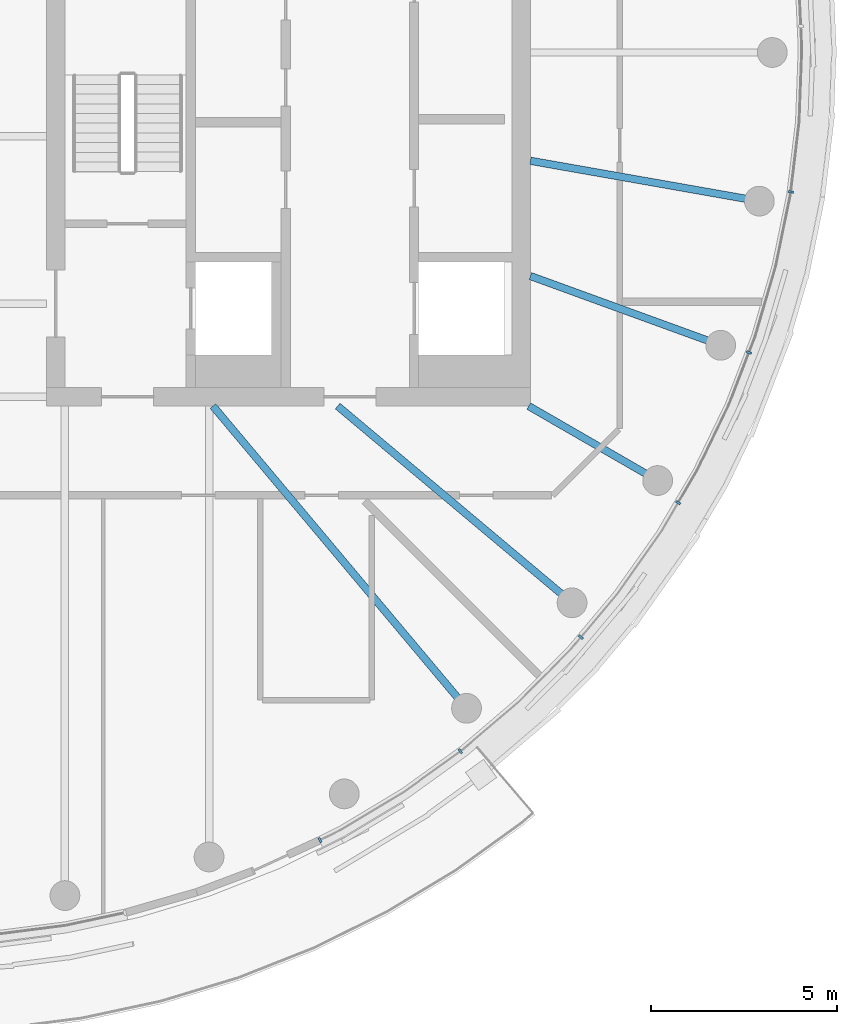
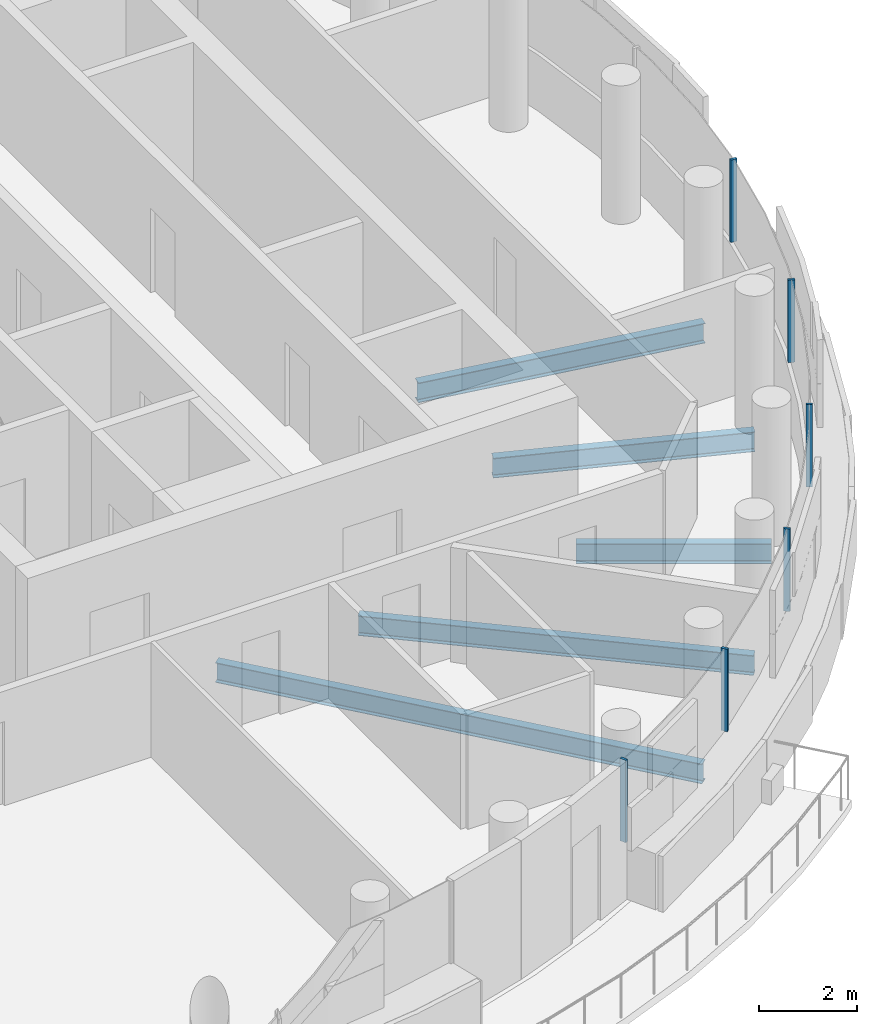
# One storey, part 6 of 21: 6 members, 5 beams, 1 element without a shape of its own.
"""IFC4 building model written with IfcOpenShell, lengths in metres."""

import ifcopenshell
import ifcopenshell.guid

model = None  # the IFC model being written
_history = None  # IfcOwnerHistory: only IFC2X3 demands one
_inside = {}  # id of a spatial element -> (the spatial element, [elements in it])
_under = {}  # id of a project, library or spatial element -> (it, [spatial elements below it])
_declared = {}  # id of a project -> (the project, [libraries it declares])
_typed = {}  # id of a type object -> (the type object, [elements of that type])
_made_of = {}  # id of a material, layer set ... -> (it, [elements and type objects made of it])


def new_model(schema):
    """Start an empty IFC model of exactly this schema.

    Asked for "IFC4X3", IfcOpenShell would pick the latest addendum, in which some entities
    have other attributes; the version numbers below select the first issue.
    IFC2X3 requires an IfcOwnerHistory on every rooted entity: one is made here for all.
    """
    global model, _history
    if schema == "IFC4X3":
        model = ifcopenshell.file(schema_version=(4, 3, 0, 0))
    else:
        model = ifcopenshell.file(schema=schema)
    _inside.clear()
    _under.clear()
    _declared.clear()
    _typed.clear()
    _made_of.clear()
    _history = None
    if model.schema == "IFC2X3":
        org = make("IfcOrganization", Name="unknown")
        user = make(
            "IfcPersonAndOrganization",
            ThePerson=make("IfcPerson", FamilyName="unknown"),
            TheOrganization=org,
        )
        app = make(
            "IfcApplication",
            ApplicationDeveloper=org,
            Version="unknown",
            ApplicationFullName="unknown",
            ApplicationIdentifier="unknown",
        )
        _history = make(
            "IfcOwnerHistory",
            OwningUser=user,
            OwningApplication=app,
            ChangeAction="ADDED",
            CreationDate=0,
        )
    return model


def make(cls, **values):
    """One entity of the class cls with the attributes given. An attribute that is None is left unset."""
    return model.create_entity(
        cls, **{name: value for name, value in values.items() if value is not None}
    )


def rooted(cls, **values):
    """An entity with a GlobalId (a new one), such as an element, a storey or a relation."""
    return make(cls, GlobalId=ifcopenshell.guid.new(), OwnerHistory=_history, **values)


def si_unit(unit_type, name, prefix=None):
    """IfcSIUnit, for example si_unit("LENGTHUNIT", "METRE", prefix="MILLI")."""
    return make("IfcSIUnit", UnitType=unit_type, Prefix=prefix, Name=name)


def assignment(units):
    """IfcUnitAssignment: the units of a project."""
    return None if units is None else make("IfcUnitAssignment", Units=units)


def point(xyz):
    """IfcCartesianPoint."""
    return None if xyz is None else make("IfcCartesianPoint", Coordinates=xyz)


def direction(xyz):
    """IfcDirection."""
    return None if xyz is None else make("IfcDirection", DirectionRatios=xyz)


def frame(location, z_axis=None, x_axis=None):
    """IfcAxis2Placement3D, a coordinate frame: its origin and axes. An axis left out is left unset."""
    return make(
        "IfcAxis2Placement3D",
        Location=point(location),
        Axis=direction(z_axis),
        RefDirection=direction(x_axis),
    )


def frame_2d(location, x_axis=None):
    """IfcAxis2Placement2D, a coordinate frame in the plane: its origin and x axis."""
    return make(
        "IfcAxis2Placement2D", Location=point(location), RefDirection=direction(x_axis)
    )


def origin():
    """The frame at (0, 0, 0) with its axes left unset."""
    return frame((0.0, 0.0, 0.0))


def origin_2d():
    """The frame at (0, 0) in the plane with its x axis left unset."""
    return frame_2d((0.0, 0.0))


def place(relative_to, where):
    """IfcLocalPlacement: puts the frame where relative to a parent placement (None: the world)."""
    return make(
        "IfcLocalPlacement", PlacementRelTo=relative_to, RelativePlacement=where
    )


def context(
    kind, dimensions, precision=None, world=None, true_north=None, identifier=None
):
    """IfcGeometricRepresentationContext, for example the 3D "Model" context."""
    return make(
        "IfcGeometricRepresentationContext",
        ContextIdentifier=identifier,
        ContextType=kind,
        CoordinateSpaceDimension=dimensions,
        Precision=precision,
        WorldCoordinateSystem=world,
        TrueNorth=true_north,
    )


def subcontext(parent, identifier, kind, view, scale=None):
    """IfcGeometricRepresentationSubContext, for example "Body" below "Model"."""
    return make(
        "IfcGeometricRepresentationSubContext",
        ContextIdentifier=identifier,
        ContextType=kind,
        ParentContext=parent,
        TargetScale=scale,
        TargetView=view,
    )


def project(units=None, contexts=None):
    """IfcProject with its units and contexts."""
    return rooted(
        "IfcProject",
        Name="project",
        RepresentationContexts=contexts,
        UnitsInContext=assignment(units),
    )


def spatial(cls, under=None, at=None, **own):
    """A site, building, storey or space (cls), placed at a placement, below another one or the project."""
    s = rooted(cls, ObjectPlacement=at, **own)
    if under is not None:
        _under.setdefault(under.id(), (under, []))[1].append(s)
    return s


def profile(cls, at=None, kind="AREA", **sizes):
    """A parametric profile (cls). Its sizes go by their IFC names, for example OverallWidth=200.0."""
    return make(cls, ProfileType=kind, Position=at, **sizes)


def rectangle(**sizes):
    """IfcRectangleProfileDef."""
    return profile("IfcRectangleProfileDef", **sizes)


def i_section(**sizes):
    """IfcIShapeProfileDef."""
    return profile("IfcIShapeProfileDef", **sizes)


def extrude(swept, where, along, depth):
    """IfcExtrudedAreaSolid: the profile swept, set in the frame where, extruded along a direction by depth."""
    return make(
        "IfcExtrudedAreaSolid",
        SweptArea=swept,
        Position=where,
        ExtrudedDirection=direction(along),
        Depth=depth,
    )


def shape(context_of_items, identifier, shape_type, items):
    """IfcShapeRepresentation: the items that make up one representation, for example the "Body"."""
    return make(
        "IfcShapeRepresentation",
        ContextOfItems=context_of_items,
        RepresentationIdentifier=identifier,
        RepresentationType=shape_type,
        Items=items,
    )


def material(Name=None, Category=None):
    """IfcMaterial."""
    return make("IfcMaterial", Name=Name, Category=Category)


def layer(
    of_material, thickness, ventilated=None, Name=None, Category=None, Priority=None
):
    """IfcMaterialLayer: one layer of a wall or slab, of a material (None: an air gap)."""
    return make(
        "IfcMaterialLayer",
        Material=of_material,
        LayerThickness=thickness,
        IsVentilated=ventilated,
        Name=Name,
        Category=Category,
        Priority=Priority,
    )


def layer_set(layers, Name=None):
    """IfcMaterialLayerSet."""
    return make("IfcMaterialLayerSet", MaterialLayers=layers, LayerSetName=Name)


def material_profile(
    of_material, cross_section, Name=None, Category=None, Priority=None
):
    """IfcMaterialProfile: a cross section and its material."""
    return make(
        "IfcMaterialProfile",
        Name=Name,
        Material=of_material,
        Profile=cross_section,
        Priority=Priority,
        Category=Category,
    )


def profile_set(profiles, Name=None, composite=None):
    """IfcMaterialProfileSet."""
    return make(
        "IfcMaterialProfileSet",
        Name=Name,
        MaterialProfiles=profiles,
        CompositeProfile=composite,
    )


def made_of(thing, what):
    """Note that an element or type object is made of a material, layer set ...; save() writes the relation."""
    if what is not None:
        _made_of.setdefault(what.id(), (what, []))[1].append(thing)
    return thing


def type_object(cls, material=None, **own):
    """A type object (cls), such as IfcWallType, which elements share."""
    return made_of(rooted(cls, **own), material)


def element(
    cls,
    number,
    at=None,
    inside=None,
    cuts=None,
    type_object=None,
    material=None,
    context=None,
    identifier="Body",
    shape_type=None,
    held_by="IfcProductDefinitionShape",
    body=None,
    shapes=None,
    **own,
):
    """One element of the class cls, such as IfcWall. Its Tag is "e" and its number.

    at: its placement. inside: the storey or other place that contains it. cuts: it is an
    opening in that element (IfcRelVoidsElement). A single representation is given by context,
    identifier, shape_type and body (its items); several are given by shapes. held_by: the class
    of the entity that holds the representations. save() writes the other relations.
    """
    e = rooted(cls, Tag="e%d" % number, ObjectPlacement=at, **own)
    if body is not None:
        shapes = [shape(context, identifier, shape_type, body)]
    if shapes is not None:
        e.Representation = make(held_by, Representations=shapes)
    if inside is not None:
        _inside.setdefault(inside.id(), (inside, []))[1].append(e)
    if cuts is not None:
        rooted(
            "IfcRelVoidsElement", RelatingBuildingElement=cuts, RelatedOpeningElement=e
        )
    if type_object is not None:
        _typed.setdefault(type_object.id(), (type_object, []))[1].append(e)
    return made_of(e, material)


def aggregate(whole, parts):
    """IfcRelAggregates: a whole, such as a stair, and the parts it consists of."""
    return rooted("IfcRelAggregates", RelatingObject=whole, RelatedObjects=parts)


def save(model, path):
    """Write the relations noted so far, then the file.

    IfcRelAggregates (storeys below a building ...), IfcRelContainedInSpatialStructure (elements
    in a storey), IfcRelDefinesByType, IfcRelAssociatesMaterial and IfcRelDeclares: one each for
    every whole, place, type object, material and project.
    """
    for whole, parts in _under.values():
        aggregate(whole, parts)
    for where, things in _inside.values():
        rooted(
            "IfcRelContainedInSpatialStructure",
            RelatedElements=things,
            RelatingStructure=where,
        )
    for kind, things in _typed.values():
        rooted("IfcRelDefinesByType", RelatedObjects=things, RelatingType=kind)
    for what, things in _made_of.values():
        rooted("IfcRelAssociatesMaterial", RelatedObjects=things, RelatingMaterial=what)
    for by, libraries in _declared.values():
        rooted("IfcRelDeclares", RelatingContext=by, RelatedDefinitions=libraries)
    model.write(path)


model = new_model("IFC4")

# Units and contexts
model_context = context("Model", 3, precision=1e-05, world=origin(), true_north=direction((0.0, 1.0)))
body_context = subcontext(model_context, "Body", "Model", "MODEL_VIEW")
ifc_project = project(units=[si_unit("LENGTHUNIT", "METRE"), si_unit("AREAUNIT", "SQUARE_METRE"), si_unit("VOLUMEUNIT", "CUBIC_METRE"), si_unit("PLANEANGLEUNIT", "RADIAN"), si_unit("MASSUNIT", "GRAM", prefix="KILO")], contexts=[model_context])

# Site, building, storey
site_placement = place(None, origin())
site = spatial("IfcSite", under=ifc_project, at=site_placement, CompositionType="ELEMENT")
building_placement = place(site_placement, origin())
building = spatial("IfcBuilding", under=site, at=building_placement, Name="Tamarind Cross Interchange Tower", CompositionType="ELEMENT")
storey_placement = place(building_placement, frame((0.0, 0.0, 267.60009765625)))
storey = spatial("IfcBuildingStorey", under=building, at=storey_placement, Name="L68", CompositionType="ELEMENT", Elevation=267.60009765625)

# Beams
ifc_material_1 = material(Name="Steel Q355B", Category="steel")
ifc_material_profile_1 = material_profile(ifc_material_1, i_section(OverallWidth=0.198974609375, OverallDepth=0.49609375, WebThickness=0.009033203125, FlangeThickness=0.013916015625, FilletRadius=0.012939453125, at=origin_2d()), Name="HN 496x199x9x14")
ifc_profile_set_1 = profile_set([ifc_material_profile_1], Name="Steel Q355B")
beam_type = type_object("IfcBeamType", Name="Composite beam HN 496x199x9x14 Q355B", PredefinedType="BEAM", material=ifc_profile_set_1)
beam_1_placement = place(storey_placement, frame((14.7841796875, -17.619140625, -0.38818359375), z_axis=(-0.642786293979, 0.766045547127, 0.0), x_axis=(-0.766045547127, -0.642786293979, 0.0)))
element("IfcBeam", 1, at=beam_1_placement, inside=storey, type_object=beam_type, Name="Beam HH31", PredefinedType="BEAM", context=body_context, shape_type="SweptSolid", body=[
    extrude(i_section(OverallWidth=0.198974609375, OverallDepth=0.49609375, WebThickness=0.009033203125, FlangeThickness=0.013916015625, FilletRadius=0.012939453125, at=origin_2d()), origin(), (0.0, 0.0, 1.0), 10.598876953125),
])
beam_2_placement = place(storey_placement, frame((17.619140625, -14.7841796875, -0.38818359375), z_axis=(-0.766040580814, 0.642792212574, 0.0), x_axis=(-0.642792212574, -0.766040580814, 0.0)))
element("IfcBeam", 2, at=beam_2_placement, inside=storey, type_object=beam_type, Name="Beam HH32", PredefinedType="BEAM", context=body_context, shape_type="SweptSolid", body=[
    extrude(i_section(OverallWidth=0.198974609375, OverallDepth=0.49609375, WebThickness=0.009033203125, FlangeThickness=0.013916015625, FilletRadius=0.012939453125, at=origin_2d()), origin(), (0.0, 0.0, 1.0), 8.220703125),
])
beam_3_placement = place(storey_placement, frame((19.918701171875, -11.5, -0.38818359375), z_axis=(-0.866026010844, 0.49999894854, 0.0), x_axis=(-0.49999894854, -0.866026010844, 0.0)))
element("IfcBeam", 3, at=beam_3_placement, inside=storey, type_object=beam_type, Name="Beam HH33", PredefinedType="BEAM", context=body_context, shape_type="SweptSolid", body=[
    extrude(i_section(OverallWidth=0.198974609375, OverallDepth=0.49609375, WebThickness=0.009033203125, FlangeThickness=0.013916015625, FilletRadius=0.012939453125, at=origin_2d()), origin(), (0.0, 0.0, 1.0), 4.0),
])
beam_4_placement = place(storey_placement, frame((21.613037109375, -7.866455078125, -0.38818359375), z_axis=(-0.939701685589, 0.341995236956, 0.0), x_axis=(-0.341995236956, -0.939701685589, 0.0)))
element("IfcBeam", 4, at=beam_4_placement, inside=storey, type_object=beam_type, Name="Beam HH34", PredefinedType="BEAM", context=body_context, shape_type="SweptSolid", body=[
    extrude(i_section(OverallWidth=0.198974609375, OverallDepth=0.49609375, WebThickness=0.009033203125, FlangeThickness=0.013916015625, FilletRadius=0.012939453125, at=origin_2d()), origin(), (0.0, 0.0, 1.0), 5.441162109375),
])
beam_5_placement = place(storey_placement, frame((22.650634765625, -3.993896484375, -0.38818359375), z_axis=(-0.984809127561, 0.173640382036, 0.0), x_axis=(-0.173640382036, -0.984809127561, 0.0)))
element("IfcBeam", 5, at=beam_5_placement, inside=storey, type_object=beam_type, Name="Beam HH35", PredefinedType="BEAM", context=body_context, shape_type="SweptSolid", body=[
    extrude(i_section(OverallWidth=0.198974609375, OverallDepth=0.49609375, WebThickness=0.009033203125, FlangeThickness=0.013916015625, FilletRadius=0.012939453125, at=origin_2d()), origin(), (0.0, 0.0, 1.0), 6.24560546875),
])

# Curtain wall, members
ifc_material_2 = material(Name="Aluminium 6063-T6", Category="aluminium")
ifc_layer = layer(ifc_material_2, 0.139892578125)
ifc_layer_set = layer_set([ifc_layer], Name="Aluminium 6063-T6")
curtain_wall_type = type_object("IfcCurtainWallType", Name="Hotel curtain wall, 4.5 m bays", PredefinedType="NOTDEFINED", material=ifc_layer_set)
curtain_wall_placement = place(storey_placement, origin())
curtain_wall = element("IfcCurtainWall", 6, at=curtain_wall_placement, inside=storey, type_object=curtain_wall_type, Name="CWS-L68-01", PredefinedType="NOTDEFINED")
ifc_material_profile_2 = material_profile(ifc_material_2, rectangle(XDim=0.06005859375, YDim=0.139892578125, at=origin_2d()), Name="Mullion CW2")
ifc_profile_set_2 = profile_set([ifc_material_profile_2], Name="Aluminium 6063-T6")
member_type = type_object("IfcMemberType", Name="Mullion CW2", PredefinedType="MULLION", material=ifc_profile_set_2)
member_1_placement = place(storey_placement, frame((10.85009765625, -21.158203125, 1.39990234375), z_axis=(0.0, 0.0, 1.0), x_axis=(0.896492548518, 0.443058811505, 0.0)))
member_1 = element("IfcMember", 7, at=member_1_placement, type_object=member_type, Name="CWM-L68-01-16", PredefinedType="MULLION", context=body_context, shape_type="SweptSolid", body=[
    extrude(rectangle(XDim=0.06005859375, YDim=0.139892578125, at=origin_2d()), origin(), (0.0, 0.0, 1.0), 2.06005859375),
])
member_2_placement = place(storey_placement, frame((14.617431640625, -18.77197265625, 1.39990234375), z_axis=(0.0, 0.0, 1.0), x_axis=(0.811340475102, 0.584573890505, 0.0)))
member_2 = element("IfcMember", 8, at=member_2_placement, type_object=member_type, Name="CWM-L68-01-17", PredefinedType="MULLION", context=body_context, shape_type="SweptSolid", body=[
    extrude(rectangle(XDim=0.06005859375, YDim=0.139892578125, at=origin_2d()), origin(), (0.0, 0.0, 1.0), 2.06005859375),
])
member_3_placement = place(storey_placement, frame((17.856689453125, -15.70703125, 1.39990234375), z_axis=(0.0, 0.0, 1.0), x_axis=(0.643009266048, 0.765858396687, 0.0)))
member_3 = element("IfcMember", 9, at=member_3_placement, type_object=member_type, Name="CWM-L68-01-18", PredefinedType="MULLION", context=body_context, shape_type="SweptSolid", body=[
    extrude(rectangle(XDim=0.06005859375, YDim=0.139892578125, at=origin_2d()), origin(), (0.0, 0.0, 1.0), 2.06005859375),
])
member_4_placement = place(storey_placement, frame((20.4697265625, -12.093994140625, 1.39990234375), z_axis=(0.0, 0.0, 1.0), x_axis=(0.508183308752, 0.861248933065, 0.0)))
member_4 = element("IfcMember", 10, at=member_4_placement, type_object=member_type, Name="CWM-L68-01-19", PredefinedType="MULLION", context=body_context, shape_type="SweptSolid", body=[
    extrude(rectangle(XDim=0.06005859375, YDim=0.139892578125, at=origin_2d()), origin(), (0.0, 0.0, 1.0), 2.06005859375),
])
member_5_placement = place(storey_placement, frame((22.373046875, -8.061767578125, 1.39990234375), z_axis=(0.0, 0.0, 1.0), x_axis=(0.359495435512, 0.933146843667, 0.0)))
member_5 = element("IfcMember", 11, at=member_5_placement, type_object=member_type, Name="CWM-L68-01-20", PredefinedType="MULLION", context=body_context, shape_type="SweptSolid", body=[
    extrude(rectangle(XDim=0.06005859375, YDim=0.139892578125, at=origin_2d()), origin(), (0.0, 0.0, 1.0), 2.06005859375),
])
member_6_placement = place(storey_placement, frame((23.496337890625, -3.74609375, 1.39990234375), z_axis=(0.0, 0.0, 1.0), x_axis=(0.119420963295, 0.992843710523, 0.0)))
member_6 = element("IfcMember", 12, at=member_6_placement, type_object=member_type, Name="CWM-L68-01-21", PredefinedType="MULLION", context=body_context, shape_type="SweptSolid", body=[
    extrude(rectangle(XDim=0.06005859375, YDim=0.139892578125, at=origin_2d()), origin(), (0.0, 0.0, 1.0), 2.06005859375),
])
aggregate(curtain_wall, [member_1, member_2, member_3, member_4, member_5, member_6])

save(model, "model.ifc")
